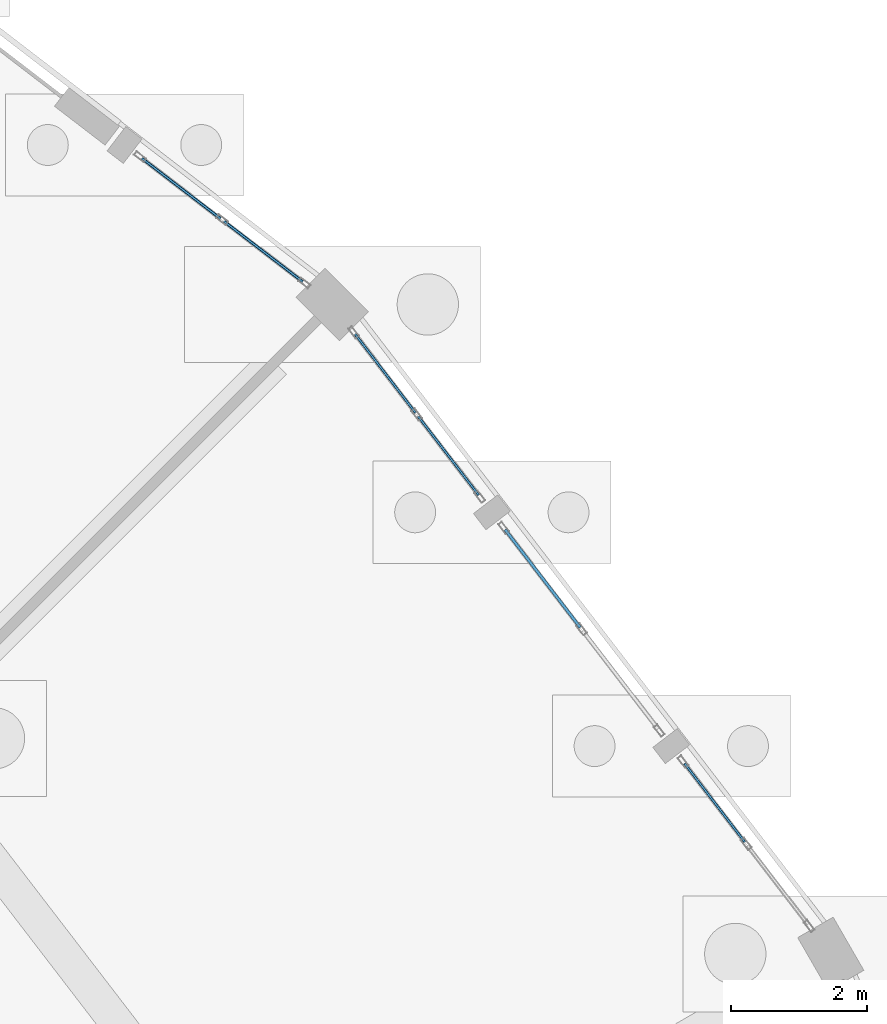
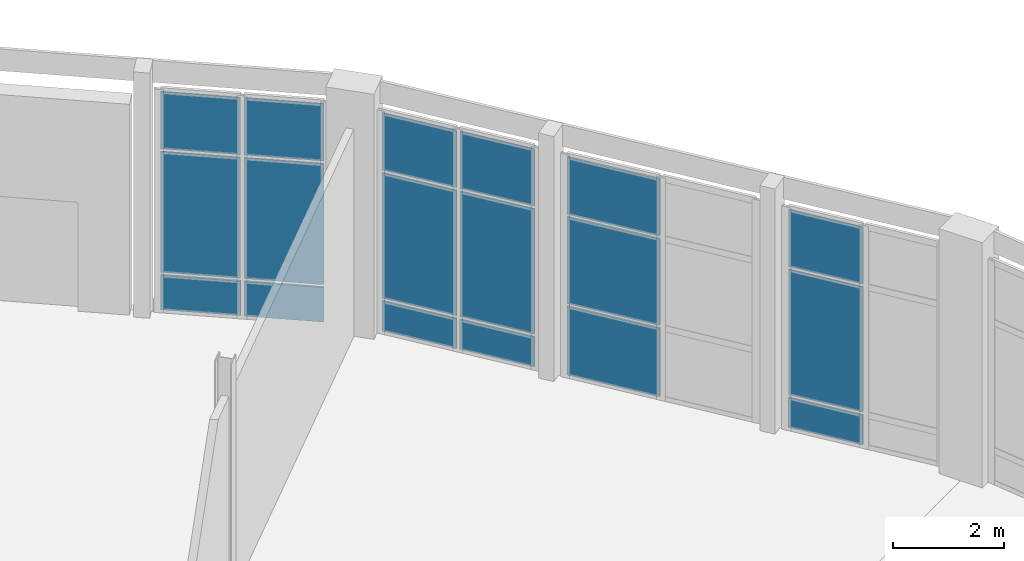
# One storey, part 96 of 137: 18 plates, 4 elements without a shape of their own.
"""IFC4 building model written with IfcOpenShell, lengths in metres."""

from ifc_helpers import new_model, si_unit, direction, frame, origin, origin_2d, place, context, subcontext, project, spatial, rectangle, extrude, material, layer, layer_set, type_object, element, aggregate, save


model = new_model("IFC4")

# Units and contexts
model_context = context("Model", 3, precision=1e-05, world=origin(), true_north=direction((0.0, 1.0)))
body_context = subcontext(model_context, "Body", "Model", "MODEL_VIEW")
ifc_project = project(units=[si_unit("LENGTHUNIT", "METRE"), si_unit("AREAUNIT", "SQUARE_METRE"), si_unit("VOLUMEUNIT", "CUBIC_METRE"), si_unit("PLANEANGLEUNIT", "RADIAN"), si_unit("MASSUNIT", "GRAM", prefix="KILO")], contexts=[model_context])

# Site, building, storey
site_placement = place(None, origin())
site = spatial("IfcSite", under=ifc_project, at=site_placement, CompositionType="ELEMENT")
building_placement = place(site_placement, origin())
building = spatial("IfcBuilding", under=site, at=building_placement, Name="Vondelvale Polytechnic", CompositionType="ELEMENT")
storey_placement = place(building_placement, origin())
storey = spatial("IfcBuildingStorey", under=building, at=storey_placement, Name="L00", CompositionType="ELEMENT", Elevation=0.0)

# Curtain wall, plates
ifc_material_1 = material(Name="Glulam GL18 structural Tasmanian oak (fb = 42 MPa)", Category="wood")
curtain_wall_type = type_object("IfcCurtainWallType", Name="CW-RING-OUTER", PredefinedType="NOTDEFINED", material=ifc_material_1)
curtain_wall_1_placement = place(storey_placement, origin())
curtain_wall_1 = element("IfcCurtainWall", 1, at=curtain_wall_1_placement, inside=storey, type_object=curtain_wall_type, Name="L00 architectural curtain wall CW-04-086", PredefinedType="NOTDEFINED")
ifc_material_2 = material(Name="Double-glazed low-E insulated architectural glass", Category="glass")
ifc_layer_1 = layer(ifc_material_2, 0.028076171875)
ifc_layer_set_1 = layer_set([ifc_layer_1], Name="CW-PANEL-GLAZED")
plate_type_1 = type_object("IfcPlateType", Name="CW-PANEL-GLAZED", PredefinedType="CURTAIN_PANEL", material=ifc_layer_set_1)
plate_1_placement = place(storey_placement, frame((140.13525390625, 97.2177734375, 0.77978515625), z_axis=(0.0, 0.0, 1.0), x_axis=(-0.608763610584, 0.793351666305, 0.0)))
plate_1 = element("IfcPlate", 2, at=plate_1_placement, type_object=plate_type_1, Name="CW-04-086 panel 2.2", PredefinedType="CURTAIN_PANEL", context=body_context, shape_type="SweptSolid", body=[
    extrude(rectangle(XDim=1.454345703125, YDim=0.028076171875, at=origin_2d()), origin(), (0.0, 0.0, 1.0), 2.760009765625),
])
plate_2_placement = place(storey_placement, frame((140.13525390625, 97.2177734375, 3.60009765625), z_axis=(0.0, 0.0, 1.0), x_axis=(-0.608763610584, 0.793351666305, 0.0)))
plate_2 = element("IfcPlate", 3, at=plate_2_placement, type_object=plate_type_1, Name="CW-04-086 panel 2.3", PredefinedType="CURTAIN_PANEL", context=body_context, shape_type="SweptSolid", body=[
    extrude(rectangle(XDim=1.454345703125, YDim=0.028076171875, at=origin_2d()), origin(), (0.0, 0.0, 1.0), 1.260009765625),
])

curtain_wall_2_placement = place(storey_placement, origin())
curtain_wall_2 = element("IfcCurtainWall", 4, at=curtain_wall_2_placement, inside=storey, type_object=curtain_wall_type, Name="L00 architectural curtain wall CW-04-088", PredefinedType="NOTDEFINED")
plate_3_placement = place(storey_placement, frame((136.228759765625, 102.30908203125, 0.77978515625), z_axis=(0.0, 0.0, 1.0), x_axis=(-0.608763610584, 0.793351666305, 0.0)))
plate_3 = element("IfcPlate", 5, at=plate_3_placement, type_object=plate_type_1, Name="CW-04-088 panel 1.2", PredefinedType="CURTAIN_PANEL", context=body_context, shape_type="SweptSolid", body=[
    extrude(rectangle(XDim=1.454345703125, YDim=0.028076171875, at=origin_2d()), origin(), (0.0, 0.0, 1.0), 2.760009765625),
])
plate_4_placement = place(storey_placement, frame((136.228759765625, 102.30908203125, 3.60009765625), z_axis=(0.0, 0.0, 1.0), x_axis=(-0.608763610584, 0.793351666305, 0.0)))
plate_4 = element("IfcPlate", 6, at=plate_4_placement, type_object=plate_type_1, Name="CW-04-088 panel 1.3", PredefinedType="CURTAIN_PANEL", context=body_context, shape_type="SweptSolid", body=[
    extrude(rectangle(XDim=1.454345703125, YDim=0.028076171875, at=origin_2d()), origin(), (0.0, 0.0, 1.0), 1.260009765625),
])
plate_5_placement = place(storey_placement, frame((135.303955078125, 103.514404296875, 0.77978515625), z_axis=(0.0, 0.0, 1.0), x_axis=(-0.608763610584, 0.793351666305, 0.0)))
plate_5 = element("IfcPlate", 7, at=plate_5_placement, type_object=plate_type_1, Name="CW-04-088 panel 2.2", PredefinedType="CURTAIN_PANEL", context=body_context, shape_type="SweptSolid", body=[
    extrude(rectangle(XDim=1.454345703125, YDim=0.028076171875, at=origin_2d()), origin(), (0.0, 0.0, 1.0), 2.760009765625),
])
plate_6_placement = place(storey_placement, frame((135.303955078125, 103.514404296875, 3.60009765625), z_axis=(0.0, 0.0, 1.0), x_axis=(-0.608763610584, 0.793351666305, 0.0)))
plate_6 = element("IfcPlate", 8, at=plate_6_placement, type_object=plate_type_1, Name="CW-04-088 panel 2.3", PredefinedType="CURTAIN_PANEL", context=body_context, shape_type="SweptSolid", body=[
    extrude(rectangle(XDim=1.454345703125, YDim=0.028076171875, at=origin_2d()), origin(), (0.0, 0.0, 1.0), 1.260009765625),
])

curtain_wall_3_placement = place(storey_placement, origin())
curtain_wall_3 = element("IfcCurtainWall", 9, at=curtain_wall_3_placement, inside=storey, type_object=curtain_wall_type, Name="L00 architectural curtain wall CW-04-098", PredefinedType="NOTDEFINED")
plate_7_placement = place(storey_placement, frame((133.514404296875, 105.303955078125, 0.8798828125), z_axis=(0.0, 0.0, 1.0), x_axis=(-0.793351666305, 0.608763610584, 0.0)))
plate_7 = element("IfcPlate", 10, at=plate_7_placement, type_object=plate_type_1, Name="CW-04-098 panel 1.2", PredefinedType="CURTAIN_PANEL", context=body_context, shape_type="SweptSolid", body=[
    extrude(rectangle(XDim=1.454345703125, YDim=0.028076171875, at=origin_2d()), origin(), (0.0, 0.0, 1.0), 2.659912109375),
])
plate_8_placement = place(storey_placement, frame((133.514404296875, 105.303955078125, 3.60009765625), z_axis=(0.0, 0.0, 1.0), x_axis=(-0.793351666305, 0.608763610584, 0.0)))
plate_8 = element("IfcPlate", 11, at=plate_8_placement, type_object=plate_type_1, Name="CW-04-098 panel 1.3", PredefinedType="CURTAIN_PANEL", context=body_context, shape_type="SweptSolid", body=[
    extrude(rectangle(XDim=1.454345703125, YDim=0.028076171875, at=origin_2d()), origin(), (0.0, 0.0, 1.0), 1.260009765625),
])
plate_9_placement = place(storey_placement, frame((132.30908203125, 106.228759765625, 0.8798828125), z_axis=(0.0, 0.0, 1.0), x_axis=(-0.793351666305, 0.608763610584, 0.0)))
plate_9 = element("IfcPlate", 12, at=plate_9_placement, type_object=plate_type_1, Name="CW-04-098 panel 2.2", PredefinedType="CURTAIN_PANEL", context=body_context, shape_type="SweptSolid", body=[
    extrude(rectangle(XDim=1.454345703125, YDim=0.028076171875, at=origin_2d()), origin(), (0.0, 0.0, 1.0), 2.659912109375),
])
plate_10_placement = place(storey_placement, frame((132.30908203125, 106.228759765625, 3.60009765625), z_axis=(0.0, 0.0, 1.0), x_axis=(-0.793351666305, 0.608763610584, 0.0)))
plate_10 = element("IfcPlate", 13, at=plate_10_placement, type_object=plate_type_1, Name="CW-04-098 panel 2.3", PredefinedType="CURTAIN_PANEL", context=body_context, shape_type="SweptSolid", body=[
    extrude(rectangle(XDim=1.454345703125, YDim=0.028076171875, at=origin_2d()), origin(), (0.0, 0.0, 1.0), 1.260009765625),
])

curtain_wall_4_placement = place(storey_placement, origin())
curtain_wall_4 = element("IfcCurtainWall", 14, at=curtain_wall_4_placement, inside=storey, type_object=curtain_wall_type, Name="L00 architectural curtain wall CW-04-087", PredefinedType="NOTDEFINED")
ifc_material_3 = material(Name="Engineered Tasmanian oak studio and bridge joinery")
ifc_layer_2 = layer(ifc_material_3, 0.0419921875)
ifc_layer_set_2 = layer_set([ifc_layer_2], Name="CW-PANEL-OAK")
plate_type_2 = type_object("IfcPlateType", Name="CW-PANEL-OAK", PredefinedType="CURTAIN_PANEL", material=ifc_layer_set_2)
plate_11_placement = place(storey_placement, frame((137.611572265625, 100.5068359375, 0.06005859375), z_axis=(0.0, 0.0, 1.0), x_axis=(-0.608771189063, 0.793345851043, 0.0)))
plate_11 = element("IfcPlate", 15, at=plate_11_placement, type_object=plate_type_2, Name="CW-04-087 panel 2.1", PredefinedType="CURTAIN_PANEL", context=body_context, shape_type="SweptSolid", body=[
    extrude(rectangle(XDim=1.80908203125, YDim=0.0419921875, at=origin_2d()), origin(), (0.0, 0.0, 1.0), 1.510009765625),
])
plate_12_placement = place(storey_placement, frame((137.611572265625, 100.5068359375, 1.6298828125), z_axis=(0.0, 0.0, 1.0), x_axis=(-0.608771189063, 0.793345851043, 0.0)))
plate_12 = element("IfcPlate", 16, at=plate_12_placement, type_object=plate_type_2, Name="CW-04-087 panel 2.2", PredefinedType="CURTAIN_PANEL", context=body_context, shape_type="SweptSolid", body=[
    extrude(rectangle(XDim=1.80908203125, YDim=0.0419921875, at=origin_2d()), origin(), (0.0, 0.0, 1.0), 1.909912109375),
])
plate_13_placement = place(storey_placement, frame((137.611572265625, 100.5068359375, 3.60009765625), z_axis=(0.0, 0.0, 1.0), x_axis=(-0.608771189063, 0.793345851043, 0.0)))
plate_13 = element("IfcPlate", 17, at=plate_13_placement, type_object=plate_type_2, Name="CW-04-087 panel 2.3", PredefinedType="CURTAIN_PANEL", context=body_context, shape_type="SweptSolid", body=[
    extrude(rectangle(XDim=1.80908203125, YDim=0.0419921875, at=origin_2d()), origin(), (0.0, 0.0, 1.0), 1.260009765625),
])
aggregate(curtain_wall_4, [plate_11, plate_12, plate_13])

# Plate
plate_14_placement = place(storey_placement, frame((133.514404296875, 105.303955078125, 0.06005859375), z_axis=(0.0, 0.0, 1.0), x_axis=(-0.793351666305, 0.608763610584, 0.0)))
plate_14 = element("IfcPlate", 18, at=plate_14_placement, type_object=plate_type_2, Name="CW-04-098 panel 1.1", PredefinedType="CURTAIN_PANEL", context=body_context, shape_type="SweptSolid", body=[
    extrude(rectangle(XDim=1.454345703125, YDim=0.0419921875, at=origin_2d()), origin(), (0.0, 0.0, 1.0), 0.760009765625),
])

plate_15_placement = place(storey_placement, frame((132.30908203125, 106.228759765625, 0.06005859375), z_axis=(0.0, 0.0, 1.0), x_axis=(-0.793351666305, 0.608763610584, 0.0)))
plate_15 = element("IfcPlate", 19, at=plate_15_placement, type_object=plate_type_2, Name="CW-04-098 panel 2.1", PredefinedType="CURTAIN_PANEL", context=body_context, shape_type="SweptSolid", body=[
    extrude(rectangle(XDim=1.454345703125, YDim=0.0419921875, at=origin_2d()), origin(), (0.0, 0.0, 1.0), 0.760009765625),
])

aggregate(curtain_wall_3, [plate_14, plate_7, plate_8, plate_15, plate_9, plate_10])

ifc_material_4 = material(Name="Kiln-fired architectural terracotta", Category="masonry")
ifc_layer_3 = layer(ifc_material_4, 0.035888671875)
ifc_layer_set_3 = layer_set([ifc_layer_3], Name="CW-PANEL-SPANDREL")
plate_type_3 = type_object("IfcPlateType", Name="CW-PANEL-SPANDREL", PredefinedType="CURTAIN_PANEL", material=ifc_layer_set_3)
plate_16_placement = place(storey_placement, frame((140.13525390625, 97.2177734375, 0.06005859375), z_axis=(0.0, 0.0, 1.0), x_axis=(-0.608763610584, 0.793351666305, 0.0)))
plate_16 = element("IfcPlate", 20, at=plate_16_placement, type_object=plate_type_3, Name="CW-04-086 panel 2.1", PredefinedType="CURTAIN_PANEL", context=body_context, shape_type="SweptSolid", body=[
    extrude(rectangle(XDim=1.454345703125, YDim=0.035888671875, at=origin_2d()), origin(), (0.0, 0.0, 1.0), 0.659912109375),
])

aggregate(curtain_wall_1, [plate_16, plate_1, plate_2])

plate_17_placement = place(storey_placement, frame((136.228759765625, 102.30908203125, 0.06005859375), z_axis=(0.0, 0.0, 1.0), x_axis=(-0.608763610584, 0.793351666305, 0.0)))
plate_17 = element("IfcPlate", 21, at=plate_17_placement, type_object=plate_type_3, Name="CW-04-088 panel 1.1", PredefinedType="CURTAIN_PANEL", context=body_context, shape_type="SweptSolid", body=[
    extrude(rectangle(XDim=1.454345703125, YDim=0.035888671875, at=origin_2d()), origin(), (0.0, 0.0, 1.0), 0.659912109375),
])

plate_18_placement = place(storey_placement, frame((135.303955078125, 103.514404296875, 0.06005859375), z_axis=(0.0, 0.0, 1.0), x_axis=(-0.608763610584, 0.793351666305, 0.0)))
plate_18 = element("IfcPlate", 22, at=plate_18_placement, type_object=plate_type_3, Name="CW-04-088 panel 2.1", PredefinedType="CURTAIN_PANEL", context=body_context, shape_type="SweptSolid", body=[
    extrude(rectangle(XDim=1.454345703125, YDim=0.035888671875, at=origin_2d()), origin(), (0.0, 0.0, 1.0), 0.659912109375),
])

aggregate(curtain_wall_2, [plate_17, plate_3, plate_4, plate_18, plate_5, plate_6])

save(model, "model.ifc")
